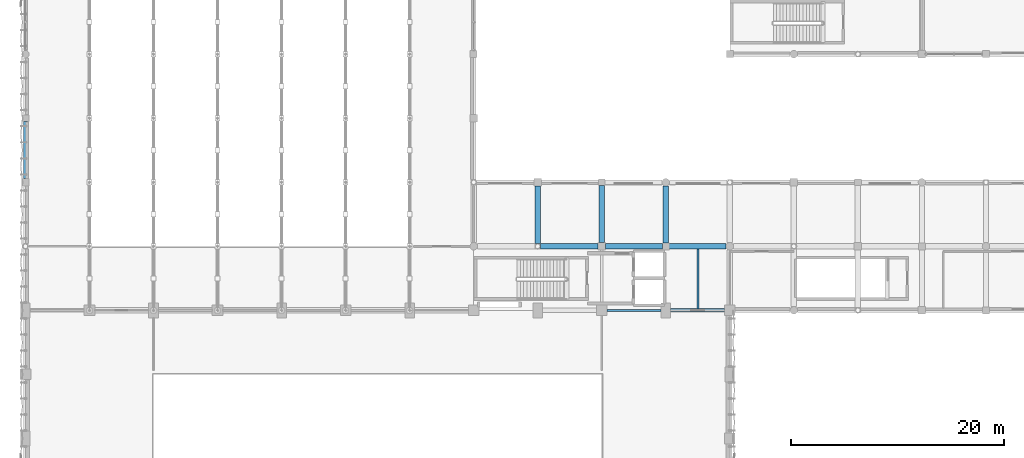
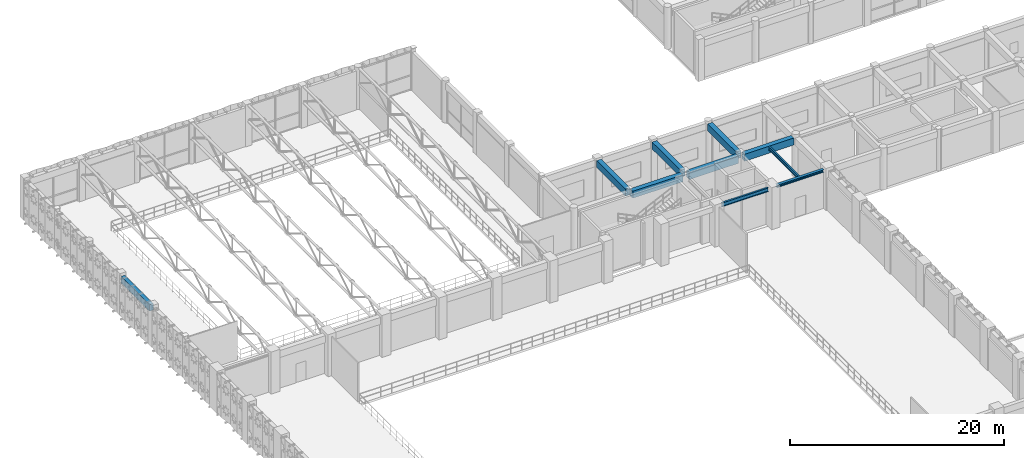
# One storey, part 39 of 123: 10 beams.
"""IFC4 building model written with IfcOpenShell, lengths in metres."""

from ifc_helpers import new_model, si_unit, direction, frame, origin, origin_2d, place, context, subcontext, project, spatial, rectangle, i_section, extrude, material, material_profile, profile_set, type_object, element, save


model = new_model("IFC4")

# Units and contexts
model_context = context("Model", 3, precision=1e-05, world=origin(), true_north=direction((0.0, 1.0)))
body_context = subcontext(model_context, "Body", "Model", "MODEL_VIEW")
ifc_project = project(units=[si_unit("LENGTHUNIT", "METRE"), si_unit("AREAUNIT", "SQUARE_METRE"), si_unit("VOLUMEUNIT", "CUBIC_METRE"), si_unit("PLANEANGLEUNIT", "RADIAN"), si_unit("MASSUNIT", "GRAM", prefix="KILO"), si_unit("THERMODYNAMICTEMPERATUREUNIT", "KELVIN"), si_unit("POWERUNIT", "WATT")], contexts=[model_context])

# Site, building, storey
site_placement = place(None, origin())
site = spatial("IfcSite", under=ifc_project, at=site_placement, CompositionType="ELEMENT")
building_placement = place(site_placement, origin())
building = spatial("IfcBuilding", under=site, at=building_placement, Name="Phaisarnlok Congress Hotel", CompositionType="ELEMENT")
storey_placement = place(building_placement, frame((0.0, 0.0, 15.0)))
storey = spatial("IfcBuildingStorey", under=building, at=storey_placement, Name="L03", CompositionType="ELEMENT", Elevation=15.0)

# Beams
ifc_material_1 = material(Name="Concrete C40/50", Category="concrete")
ifc_material_profile_1 = material_profile(ifc_material_1, rectangle(XDim=0.5, YDim=0.800048828125, at=origin_2d()), Name="RC 500x800")
ifc_profile_set_1 = profile_set([ifc_material_profile_1], Name="Concrete C40/50")
beam_type_1 = type_object("IfcBeamType", Name="BM-RC-500x800", PredefinedType="BEAM", material=ifc_profile_set_1)
for number, where, z_axis, x_axis, name in (
    (1, (48.2490234375, 90.0, 4.050048828125), (1.0, 0.0, 0.0), (0.0, 1.0, 0.0), "Beam B-04"),
    (2, (48.0, 90.2490234375, 4.159912109375), (0.0, 1.0, 0.0), (-1.0, 0.0, 0.0), "Beam B-04"),
):
    element("IfcBeam", number, at=place(storey_placement, frame(where, z_axis=z_axis, x_axis=x_axis)), inside=storey, type_object=beam_type_1, Name=name, PredefinedType="BEAM", context=body_context, shape_type="SweptSolid", body=[
        extrude(rectangle(XDim=0.5, YDim=0.800048828125, at=origin_2d()), origin(), (0.0, 0.0, 1.0), 5.406005859375),
    ])
for number, where, z_axis, x_axis, name in (
    (3, (54.344970703125, 90.0, 4.050048828125), (1.0, 0.0, 0.0), (0.0, 1.0, 0.0), "Beam B-04"),
    (4, (54.0, 90.344970703125, 4.159912109375), (0.0, 1.0, 0.0), (-1.0, 0.0, 0.0), "Beam B-04"),
    (5, (60.320068359375, 90.0, 4.050048828125), (1.0, 0.0, 0.0), (0.0, 1.0, 0.0), "Beam B-04"),
    (6, (60.0, 90.320068359375, 4.159912109375), (0.0, 1.0, 0.0), (-1.0, 0.0, 0.0), "Beam B-04"),
):
    element("IfcBeam", number, at=place(storey_placement, frame(where, z_axis=z_axis, x_axis=x_axis)), inside=storey, type_object=beam_type_1, Name=name, PredefinedType="BEAM", context=body_context, shape_type="SweptSolid", body=[
        extrude(rectangle(XDim=0.5, YDim=0.800048828125, at=origin_2d()), origin(), (0.0, 0.0, 1.0), 5.3349609375),
    ])
ifc_material_2 = material(Name="Steel S355", Category="steel")
ifc_material_profile_2 = material_profile(ifc_material_2, i_section(OverallWidth=0.300048828125, OverallDepth=0.2900390625, WebThickness=0.008544921875, FlangeThickness=0.013916015625, FilletRadius=0.027099609375, at=origin_2d()), Name="HEA 300")
ifc_profile_set_2 = profile_set([ifc_material_profile_2], Name="Steel S355")
beam_type_2 = type_object("IfcBeamType", Name="BM-STL-HEA300", PredefinedType="BEAM", material=ifc_profile_set_2)
beam_1_placement = place(storey_placement, frame((60.445068359375, 84.0, 4.304931640625), z_axis=(1.0, 0.0, 0.0), x_axis=(0.0, 1.0, 0.0)))
element("IfcBeam", 7, at=beam_1_placement, inside=storey, type_object=beam_type_2, Name="Beam SB-05", PredefinedType="BEAM", context=body_context, shape_type="SweptSolid", body=[
    extrude(i_section(OverallWidth=0.300048828125, OverallDepth=0.2900390625, WebThickness=0.008544921875, FlangeThickness=0.013916015625, FilletRadius=0.027099609375, at=origin_2d()), origin(), (0.0, 0.0, 1.0), 5.059814453125),
])
ifc_material_profile_3 = material_profile(ifc_material_2, i_section(OverallWidth=0.18994140625, OverallDepth=0.449951171875, WebThickness=0.009521484375, FlangeThickness=0.0146484375, FilletRadius=0.02099609375, at=origin_2d()), Name="IPE 450")
ifc_profile_set_3 = profile_set([ifc_material_profile_3], Name="Steel S355")
beam_type_3 = type_object("IfcBeamType", Name="BM-STL-IPE450", PredefinedType="BEAM", material=ifc_profile_set_3)
beam_2_placement = place(storey_placement, frame((54.4951171875, 84.0, 4.22509765625), z_axis=(1.0, 0.0, 0.0), x_axis=(0.0, 1.0, 0.0)))
element("IfcBeam", 8, at=beam_2_placement, inside=storey, type_object=beam_type_3, Name="Beam SB-01", PredefinedType="BEAM", context=body_context, shape_type="SweptSolid", body=[
    extrude(i_section(OverallWidth=0.18994140625, OverallDepth=0.449951171875, WebThickness=0.009521484375, FlangeThickness=0.0146484375, FilletRadius=0.02099609375, at=origin_2d()), origin(), (0.0, 0.0, 1.0), 5.059814453125),
])
ifc_material_profile_4 = material_profile(ifc_material_2, i_section(OverallWidth=0.179931640625, OverallDepth=0.39990234375, WebThickness=0.008544921875, FlangeThickness=0.013427734375, FilletRadius=0.02099609375, at=origin_2d()), Name="IPE 400")
ifc_profile_set_4 = profile_set([ifc_material_profile_4], Name="Steel S355")
beam_type_4 = type_object("IfcBeamType", Name="JS-STL-IPE400", PredefinedType="JOIST", material=ifc_profile_set_4)
beam_3_placement = place(storey_placement, frame((63.0, 84.14501953125, 4.25), z_axis=(0.0, 1.0, 0.0), x_axis=(-1.0, 0.0, 0.0)))
element("IfcBeam", 9, at=beam_3_placement, inside=storey, type_object=beam_type_4, Name="Secondary floor joist J-05", PredefinedType="JOIST", context=body_context, shape_type="SweptSolid", body=[
    extrude(i_section(OverallWidth=0.179931640625, OverallDepth=0.39990234375, WebThickness=0.008544921875, FlangeThickness=0.013427734375, FilletRadius=0.02099609375, at=origin_2d()), origin(), (0.0, 0.0, 1.0), 5.60986328125),
])
ifc_material_profile_5 = material_profile(ifc_material_1, rectangle(XDim=0.39990234375, YDim=0.75, at=origin_2d()), Name="RC 400x750")
ifc_profile_set_5 = profile_set([ifc_material_profile_5], Name="Concrete C40/50")
beam_type_5 = type_object("IfcBeamType", Name="SP-RC-400x750", PredefinedType="SPANDREL", material=ifc_profile_set_5)
beam_4_placement = place(storey_placement, frame((0.0, 96.344970703125, 4.074951171875), z_axis=(0.0, 1.0, 0.0), x_axis=(-1.0, 0.0, 0.0)))
element("IfcBeam", 10, at=beam_4_placement, inside=storey, type_object=beam_type_5, Name="Beam SP-02", PredefinedType="SPANDREL", context=body_context, shape_type="SweptSolid", body=[
    extrude(rectangle(XDim=0.39990234375, YDim=0.75, at=origin_2d()), origin(), (0.0, 0.0, 1.0), 5.3349609375),
])

save(model, "model.ifc")
